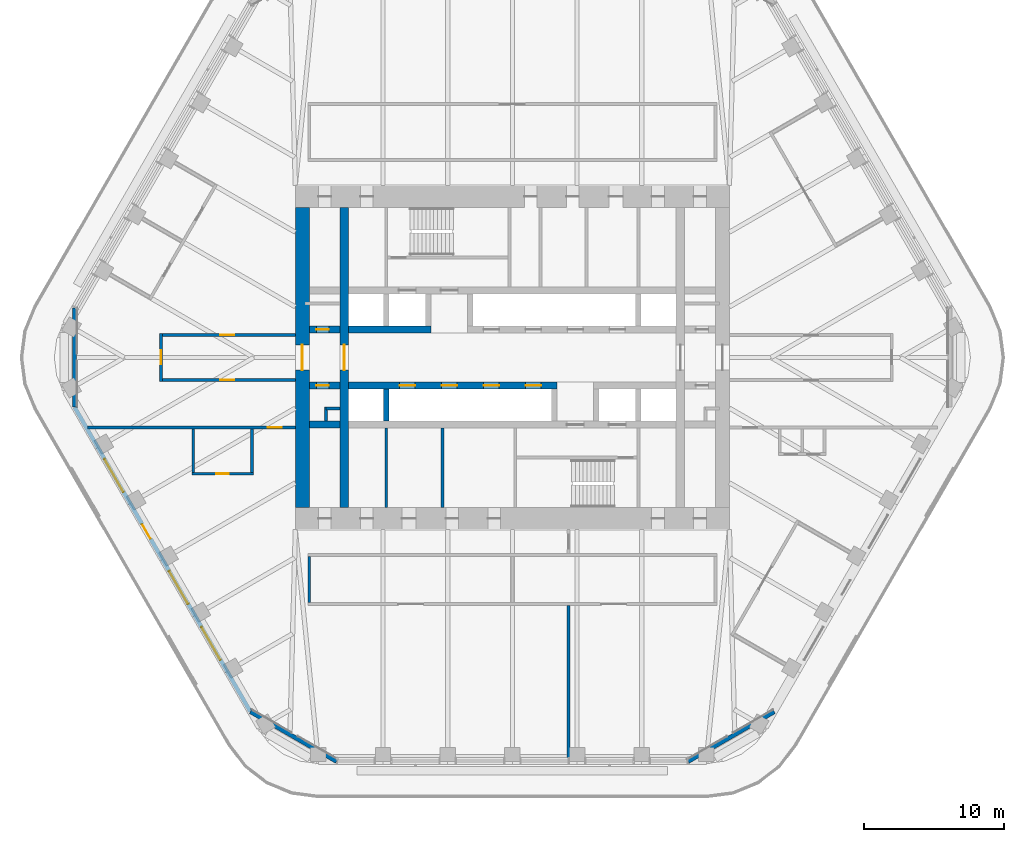
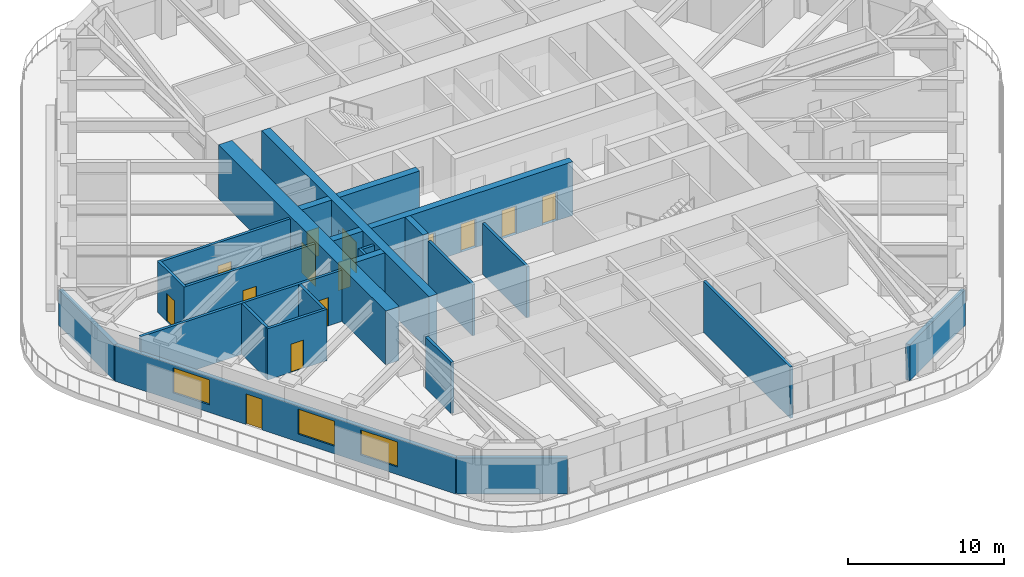
# One storey, part 14 of 20: 25 walls, 14 doors, 3 windows, 17 openings.
"""IFC4 building model written with IfcOpenShell, lengths in metres."""

from ifc_helpers import new_model, si_unit, direction, frame, frame_2d, origin, place, context, subcontext, project, spatial, rectangle, extrude, material, layer, layer_set, type_object, element, fill, save


model = new_model("IFC4")

# Units and contexts
model_context = context("Model", 3, precision=1e-05, world=origin(), true_north=direction((0.0, 1.0)))
body_context = subcontext(model_context, "Body", "Model", "MODEL_VIEW")
ifc_project = project(units=[si_unit("LENGTHUNIT", "METRE"), si_unit("AREAUNIT", "SQUARE_METRE"), si_unit("VOLUMEUNIT", "CUBIC_METRE"), si_unit("PLANEANGLEUNIT", "RADIAN"), si_unit("MASSUNIT", "GRAM", prefix="KILO")], contexts=[model_context])

# Site, building, storey
site_placement = place(None, origin())
site = spatial("IfcSite", under=ifc_project, at=site_placement, CompositionType="ELEMENT")
building_placement = place(site_placement, origin())
building = spatial("IfcBuilding", under=site, at=building_placement, Name="Tarfa Lantern Tower", CompositionType="ELEMENT")
storey_placement = place(building_placement, frame((0.0, 0.0, 282.699951171875)))
storey = spatial("IfcBuildingStorey", under=building, at=storey_placement, Name="L64", CompositionType="ELEMENT", Elevation=282.699951171875)

# Walls
ifc_material_1 = material(Name="Limestone cladding on blockwork", Category="masonry")
ifc_layer_1 = layer(ifc_material_1, 0.300048828125)
ifc_layer_set_1 = layer_set([ifc_layer_1], Name="EW1 STONE-CLAD WALL 300")
wall_type_1 = type_object("IfcWallType", Name="EW1 STONE-CLAD WALL 300", PredefinedType="SOLIDWALL", material=ifc_layer_set_1)
wall_1_placement = place(storey_placement, frame((-31.262939453125, 3.55078125, 0.0), z_axis=(0.0, 0.0, 1.0), x_axis=(0.0, -1.0, 0.0)))
element("IfcWall", 1, at=wall_1_placement, inside=storey, type_object=wall_type_1, Name="Garden wall NW-SW", PredefinedType="SOLIDWALL", context=body_context, shape_type="SweptSolid", body=[
    extrude(rectangle(XDim=7.1015625, YDim=0.300048828125, at=frame_2d((3.55078125, 0.0))), origin(), (0.0, 0.0, 1.0), 2.800048828125),
])
for number, where, z_axis, x_axis, name in (
    (2, (-18.70654296875, -25.299072265625, 0.0), (0.0, 0.0, 1.0), (0.866010973379, -0.500024993363, 0.0), "Garden wall SW-S"),
    (3, (12.556396484375, -28.85009765625, 0.0), (0.0, 0.0, 1.0), (0.866010973379, 0.500024993363, 0.0), "Garden wall S-SE"),
):
    element("IfcWall", number, at=place(storey_placement, frame(where, z_axis=z_axis, x_axis=x_axis)), inside=storey, type_object=wall_type_1, Name=name, PredefinedType="SOLIDWALL", context=body_context, shape_type="SweptSolid", body=[
        extrude(rectangle(XDim=7.101806640625, YDim=0.300048828125, at=frame_2d((3.55078125, 0.0))), origin(), (0.0, 0.0, 1.0), 2.800048828125),
    ])

# Wall, openings, door, windows
wall_2_placement = place(storey_placement, frame((-31.262939453125, -3.55078125, 0.0), z_axis=(0.0, 0.0, 1.0), x_axis=(0.500000442367, -0.866025148383, 0.0)))
wall_2 = element("IfcWall", 4, at=wall_2_placement, inside=storey, type_object=wall_type_1, Name="Stone wall SW", PredefinedType="SOLIDWALL", context=body_context, shape_type="SweptSolid", body=[
    extrude(rectangle(XDim=25.11279296875, YDim=0.300048828125, at=frame_2d((12.556396484375, 0.0))), origin(), (0.0, 0.0, 1.0), 2.800048828125),
])
opening_1_placement = place(wall_2_placement, frame((4.2783203125, 0.0, 0.60009765625)))
opening_1 = element("IfcOpeningElement", 5, at=opening_1_placement, cuts=wall_2, Name="Opening W14", PredefinedType="OPENING", context=body_context, shape_type="SweptSolid", body=[
    extrude(rectangle(XDim=2.699951171875, YDim=1.949951171875, at=frame_2d((1.35009765625, 0.97509765625))), frame((0.0, 0.159912109375, 0.0), z_axis=(0.0, -1.0, 0.0), x_axis=(1.0, 0.0, 0.0)), (0.0, 0.0, 1.0), 0.320068359375),
])
opening_2_placement = place(wall_2_placement, frame((9.64697265625, 0.0, 0.0)))
opening_2 = element("IfcOpeningElement", 6, at=opening_2_placement, cuts=wall_2, Name="Opening D48", PredefinedType="OPENING", context=body_context, shape_type="SweptSolid", body=[
    extrude(rectangle(XDim=1.199951171875, YDim=2.39990234375, at=frame_2d((0.60009765625, 1.199951171875))), frame((0.0, 0.159912109375, 0.0), z_axis=(0.0, -1.0, 0.0), x_axis=(1.0, 0.0, 0.0)), (0.0, 0.0, 1.0), 0.320068359375),
])
opening_3_placement = place(wall_2_placement, frame((13.515869140625, 0.0, 0.60009765625)))
opening_3 = element("IfcOpeningElement", 7, at=opening_3_placement, cuts=wall_2, Name="Opening W14", PredefinedType="OPENING", context=body_context, shape_type="SweptSolid", body=[
    extrude(rectangle(XDim=2.699951171875, YDim=1.949951171875, at=frame_2d((1.35009765625, 0.97509765625))), frame((0.0, 0.159912109375, 0.0), z_axis=(0.0, -1.0, 0.0), x_axis=(1.0, 0.0, 0.0)), (0.0, 0.0, 1.0), 0.320068359375),
])
opening_4_placement = place(wall_2_placement, frame((18.134521484375, 0.0, 0.60009765625)))
opening_4 = element("IfcOpeningElement", 8, at=opening_4_placement, cuts=wall_2, Name="Opening W14", PredefinedType="OPENING", context=body_context, shape_type="SweptSolid", body=[
    extrude(rectangle(XDim=2.699951171875, YDim=1.949951171875, at=frame_2d((1.35009765625, 0.97509765625))), frame((0.0, 0.159912109375, 0.0), z_axis=(0.0, -1.0, 0.0), x_axis=(1.0, 0.0, 0.0)), (0.0, 0.0, 1.0), 0.320068359375),
])
ifc_material_2 = material(Name="Aluminium framed glazed door", Category="aluminium")
door_type_1 = type_object("IfcDoorType", Name="BE3 BALCONY DOOR 1200x2400", OperationType="SINGLE_SWING_RIGHT", PredefinedType="DOOR", material=ifc_material_2)
door_1_placement = place(opening_2_placement, origin())
door_1 = element("IfcDoor", 9, at=door_1_placement, inside=storey, type_object=door_type_1, Name="Balcony door SW", OperationType="SINGLE_SWING_RIGHT", OverallHeight=2.39990234375, OverallWidth=1.199951171875, PredefinedType="DOOR", context=body_context, shape_type="SweptSolid", body=[
    extrude(rectangle(XDim=1.199951171875, YDim=2.39990234375, at=frame_2d((0.60009765625, 1.199951171875))), frame((0.0, 0.02490234375, 0.0), z_axis=(0.0, -1.0, 0.0), x_axis=(1.0, 0.0, 0.0)), (0.0, 0.0, 1.0), 0.050048828125),
])
fill(opening_2, door_1)
ifc_material_3 = material(Name="Aluminium frame, double glazed", Category="aluminium")
window_type = type_object("IfcWindowType", Name="W14 FULL-HEIGHT GLAZING 2700x1950", PartitioningType="SINGLE_PANEL", PredefinedType="WINDOW", material=ifc_material_3)
window_1_placement = place(opening_1_placement, origin())
window_1 = element("IfcWindow", 10, at=window_1_placement, inside=storey, type_object=window_type, Name="Window SW 2", OverallHeight=1.949951171875, OverallWidth=2.699951171875, PartitioningType="SINGLE_PANEL", PredefinedType="WINDOW", context=body_context, shape_type="SweptSolid", body=[
    extrude(rectangle(XDim=2.699951171875, YDim=1.949951171875, at=frame_2d((1.35009765625, 0.97509765625))), frame((0.0, 0.030029296875, 0.0), z_axis=(0.0, -1.0, 0.0), x_axis=(1.0, 0.0, 0.0)), (0.0, 0.0, 1.0), 0.06005859375),
])
fill(opening_1, window_1)
window_2_placement = place(opening_3_placement, origin())
window_2 = element("IfcWindow", 11, at=window_2_placement, inside=storey, type_object=window_type, Name="Window SW 4", OverallHeight=1.949951171875, OverallWidth=2.699951171875, PartitioningType="SINGLE_PANEL", PredefinedType="WINDOW", context=body_context, shape_type="SweptSolid", body=[
    extrude(rectangle(XDim=2.699951171875, YDim=1.949951171875, at=frame_2d((1.35009765625, 0.97509765625))), frame((0.0, 0.030029296875, 0.0), z_axis=(0.0, -1.0, 0.0), x_axis=(1.0, 0.0, 0.0)), (0.0, 0.0, 1.0), 0.06005859375),
])
fill(opening_3, window_2)
window_3_placement = place(opening_4_placement, origin())
window_3 = element("IfcWindow", 12, at=window_3_placement, inside=storey, type_object=window_type, Name="Window SW 5", OverallHeight=1.949951171875, OverallWidth=2.699951171875, PartitioningType="SINGLE_PANEL", PredefinedType="WINDOW", context=body_context, shape_type="SweptSolid", body=[
    extrude(rectangle(XDim=2.699951171875, YDim=1.949951171875, at=frame_2d((1.35009765625, 0.97509765625))), frame((0.0, 0.030029296875, 0.0), z_axis=(0.0, -1.0, 0.0), x_axis=(1.0, 0.0, 0.0)), (0.0, 0.0, 1.0), 0.06005859375),
])
fill(opening_4, window_3)

# Walls
ifc_material_4 = material(Name="Concrete blockwork", Category="masonry")
ifc_layer_2 = layer(ifc_material_4, 0.199951171875)
ifc_layer_set_2 = layer_set([ifc_layer_2], Name="IW1 BLOCKWORK PARTITION 200 EI 120")
wall_type_2 = type_object("IfcWallType", Name="IW1 BLOCKWORK PARTITION 200 EI 120", PredefinedType="PARTITIONING", material=ifc_layer_set_2)
for number, where, z_axis, x_axis, name in (
    (13, (-9.0, -5.050048828125, 0.0), (0.0, 0.0, 1.0), (0.0, -1.0, 0.0), "Core partition"),
    (14, (-5.0, -5.050048828125, 0.0), (0.0, 0.0, 1.0), (0.0, -1.0, 0.0), "Core partition"),
):
    element("IfcWall", number, at=place(storey_placement, frame(where, z_axis=z_axis, x_axis=x_axis)), inside=storey, type_object=wall_type_2, Name=name, PredefinedType="PARTITIONING", context=body_context, shape_type="SweptSolid", body=[
        extrude(rectangle(XDim=5.64990234375, YDim=0.199951171875, at=frame_2d((2.824951171875, 0.0))), origin(), (0.0, 0.0, 1.0), 4.0),
    ])
for number, where, z_axis, x_axis, name in (
    (15, (-12.300048828125, -3.64990234375, 0.0), (0.0, 0.0, 1.0), (-1.0, 0.0, 0.0), "Core partition"),
    (16, (-13.300048828125, -3.550048828125, 0.0), (0.0, 0.0, 1.0), (0.0, -1.0, 0.0), "Core partition"),
):
    element("IfcWall", number, at=place(storey_placement, frame(where, z_axis=z_axis, x_axis=x_axis)), inside=storey, type_object=wall_type_2, Name=name, PredefinedType="PARTITIONING", context=body_context, shape_type="SweptSolid", body=[
        extrude(rectangle(XDim=1.0, YDim=0.199951171875, at=frame_2d((0.5, 0.0))), origin(), (0.0, 0.0, 1.0), 4.0),
    ])
ifc_material_5 = material(Name="Gypsum board on steel studs", Category="steel")
ifc_layer_3 = layer(ifc_material_5, 0.2099609375)
ifc_layer_set_3 = layer_set([ifc_layer_3], Name="IW2 ACOUSTIC PARTITION 200")
wall_type_3 = type_object("IfcWallType", Name="IW2 ACOUSTIC PARTITION 200", PredefinedType="PARTITIONING", material=ifc_layer_set_3)
wall_3_placement = place(storey_placement, frame((-14.5, -14.199951171875, 0.0), z_axis=(0.0, 0.0, 1.0), x_axis=(0.0, -1.0, 0.0)))
element("IfcWall", 17, at=wall_3_placement, inside=storey, type_object=wall_type_3, Name="Partition", PredefinedType="PARTITIONING", context=body_context, shape_type="SweptSolid", body=[
    extrude(rectangle(XDim=3.300048828125, YDim=0.199951171875, at=frame_2d((1.64990234375, 0.0))), origin(), (0.0, 0.0, 1.0), 4.0),
])

# Wall, opening, door
wall_4_placement = place(storey_placement, frame((-15.5, 1.60009765625, 0.0), z_axis=(0.0, 0.0, 1.0), x_axis=(-1.0, 0.0, 0.0)))
wall_4 = element("IfcWall", 18, at=wall_4_placement, inside=storey, type_object=wall_type_3, Name="Partition", PredefinedType="PARTITIONING", context=body_context, shape_type="SweptSolid", body=[
    extrude(rectangle(XDim=9.699951171875, YDim=0.199951171875, at=frame_2d((4.85009765625, 0.0))), origin(), (0.0, 0.0, 1.0), 4.0),
])
opening_5_placement = place(wall_4_placement, frame((4.35009765625, 0.0, 0.0)))
opening_5 = element("IfcOpeningElement", 19, at=opening_5_placement, cuts=wall_4, Name="Opening D41", PredefinedType="OPENING", context=body_context, shape_type="SweptSolid", body=[
    extrude(rectangle(XDim=1.0, YDim=2.199951171875, at=frame_2d((0.5, 1.10009765625))), frame((0.0, 0.10986328125, 0.0), z_axis=(0.0, -1.0, 0.0), x_axis=(1.0, 0.0, 0.0)), (0.0, 0.0, 1.0), 0.219970703125),
])
ifc_material_6 = material(Name="Timber door", Category="wood")
door_type_2 = type_object("IfcDoorType", Name="DR1 ROOM DOOR 1000x2200", OperationType="SINGLE_SWING_LEFT", PredefinedType="DOOR", material=ifc_material_6)
door_2_placement = place(opening_5_placement, frame((1.0, 0.0, 0.0), z_axis=(0.0, 0.0, 1.0), x_axis=(-1.0, 0.0, 0.0)))
door_2 = element("IfcDoor", 20, at=door_2_placement, inside=storey, type_object=door_type_2, Name="Corridor door", OperationType="SINGLE_SWING_LEFT", OverallHeight=2.199951171875, OverallWidth=1.0, PredefinedType="DOOR", context=body_context, shape_type="SweptSolid", body=[
    extrude(rectangle(XDim=1.0, YDim=2.199951171875, at=frame_2d((0.5, 1.10009765625))), frame((0.0, 0.02490234375, 0.0), z_axis=(0.0, -1.0, 0.0), x_axis=(1.0, 0.0, 0.0)), (0.0, 0.0, 1.0), 0.050048828125),
])
fill(opening_5, door_2)

wall_5_placement = place(storey_placement, frame((-15.5, -1.60009765625, 0.0), z_axis=(0.0, 0.0, 1.0), x_axis=(-1.0, 0.0, 0.0)))
wall_5 = element("IfcWall", 21, at=wall_5_placement, inside=storey, type_object=wall_type_3, Name="Partition", PredefinedType="PARTITIONING", context=body_context, shape_type="SweptSolid", body=[
    extrude(rectangle(XDim=9.699951171875, YDim=0.199951171875, at=frame_2d((4.85009765625, 0.0))), origin(), (0.0, 0.0, 1.0), 4.0),
])
opening_6_placement = place(wall_5_placement, frame((4.35009765625, 0.0, 0.0)))
opening_6 = element("IfcOpeningElement", 22, at=opening_6_placement, cuts=wall_5, Name="Opening D42", PredefinedType="OPENING", context=body_context, shape_type="SweptSolid", body=[
    extrude(rectangle(XDim=1.0, YDim=2.199951171875, at=frame_2d((0.5, 1.10009765625))), frame((0.0, 0.10986328125, 0.0), z_axis=(0.0, -1.0, 0.0), x_axis=(1.0, 0.0, 0.0)), (0.0, 0.0, 1.0), 0.219970703125),
])
door_3_placement = place(opening_6_placement, origin())
door_3 = element("IfcDoor", 23, at=door_3_placement, inside=storey, type_object=door_type_2, Name="Corridor door", OperationType="SINGLE_SWING_RIGHT", OverallHeight=2.199951171875, OverallWidth=1.0, PredefinedType="DOOR", context=body_context, shape_type="SweptSolid", body=[
    extrude(rectangle(XDim=1.0, YDim=2.199951171875, at=frame_2d((0.5, 1.10009765625))), frame((0.0, 0.02490234375, 0.0), z_axis=(0.0, -1.0, 0.0), x_axis=(1.0, 0.0, 0.0)), (0.0, 0.0, 1.0), 0.050048828125),
])
fill(opening_6, door_3)

wall_6_placement = place(storey_placement, frame((-25.10009765625, -1.699951171875, 0.0), z_axis=(0.0, 0.0, 1.0), x_axis=(0.0, 1.0, 0.0)))
wall_6 = element("IfcWall", 24, at=wall_6_placement, inside=storey, type_object=wall_type_3, Name="Partition", PredefinedType="PARTITIONING", context=body_context, shape_type="SweptSolid", body=[
    extrude(rectangle(XDim=3.39990234375, YDim=0.199951171875, at=frame_2d((1.699951171875, 0.0))), origin(), (0.0, 0.0, 1.0), 4.0),
])
opening_7_placement = place(wall_6_placement, frame((1.199951171875, 0.0, 0.0)))
opening_7 = element("IfcOpeningElement", 25, at=opening_7_placement, cuts=wall_6, Name="Opening D40", PredefinedType="OPENING", context=body_context, shape_type="SweptSolid", body=[
    extrude(rectangle(XDim=1.0, YDim=2.199951171875, at=frame_2d((0.5, 1.10009765625))), frame((0.0, 0.10986328125, 0.0), z_axis=(0.0, -1.0, 0.0), x_axis=(1.0, 0.0, 0.0)), (0.0, 0.0, 1.0), 0.219970703125),
])
door_4_placement = place(opening_7_placement, origin())
door_4 = element("IfcDoor", 26, at=door_4_placement, inside=storey, type_object=door_type_2, Name="Corridor door", OperationType="SINGLE_SWING_RIGHT", OverallHeight=2.199951171875, OverallWidth=1.0, PredefinedType="DOOR", context=body_context, shape_type="SweptSolid", body=[
    extrude(rectangle(XDim=1.0, YDim=2.199951171875, at=frame_2d((0.5, 1.10009765625))), frame((0.0, 0.02490234375, 0.0), z_axis=(0.0, -1.0, 0.0), x_axis=(1.0, 0.0, 0.0)), (0.0, 0.0, 1.0), 0.050048828125),
])
fill(opening_7, door_4)

# Wall
wall_7_placement = place(storey_placement, frame((4.0, -17.699951171875, 0.0), z_axis=(0.0, 0.0, 1.0), x_axis=(0.0, -1.0, 0.0)))
element("IfcWall", 27, at=wall_7_placement, inside=storey, type_object=wall_type_3, Name="Partition", PredefinedType="PARTITIONING", context=body_context, shape_type="SweptSolid", body=[
    extrude(rectangle(XDim=11.10009765625, YDim=0.199951171875, at=frame_2d((5.550048828125, 0.0))), origin(), (0.0, 0.0, 1.0), 4.0),
])

# Wall, opening, door
wall_8_placement = place(storey_placement, frame((-15.5, -5.0, 0.0), z_axis=(0.0, 0.0, 1.0), x_axis=(-1.0, 0.0, 0.0)))
wall_8 = element("IfcWall", 28, at=wall_8_placement, inside=storey, type_object=wall_type_3, Name="Partition", PredefinedType="PARTITIONING", context=body_context, shape_type="SweptSolid", body=[
    extrude(rectangle(XDim=14.845458984375, YDim=0.199951171875, at=frame_2d((7.4228515625, 0.0))), origin(), (0.0, 0.0, 1.0), 4.0),
])
opening_8_placement = place(wall_8_placement, frame((0.984619140625, 0.0, 0.0)))
opening_8 = element("IfcOpeningElement", 29, at=opening_8_placement, cuts=wall_8, Name="Opening D45", PredefinedType="OPENING", context=body_context, shape_type="SweptSolid", body=[
    extrude(rectangle(XDim=1.0, YDim=2.199951171875, at=frame_2d((0.5, 1.10009765625))), frame((0.0, 0.10986328125, 0.0), z_axis=(0.0, -1.0, 0.0), x_axis=(1.0, 0.0, 0.0)), (0.0, 0.0, 1.0), 0.219970703125),
])
door_5_placement = place(opening_8_placement, origin())
door_5 = element("IfcDoor", 30, at=door_5_placement, inside=storey, type_object=door_type_2, Name="Zone door", OperationType="SINGLE_SWING_RIGHT", OverallHeight=2.199951171875, OverallWidth=1.0, PredefinedType="DOOR", context=body_context, shape_type="SweptSolid", body=[
    extrude(rectangle(XDim=1.0, YDim=2.199951171875, at=frame_2d((0.5, 1.10009765625))), frame((0.0, 0.02490234375, 0.0), z_axis=(0.0, -1.0, 0.0), x_axis=(1.0, 0.0, 0.0)), (0.0, 0.0, 1.0), 0.050048828125),
])
fill(opening_8, door_5)

wall_9_placement = place(storey_placement, frame((-18.495849609375, -8.300048828125, 0.0), z_axis=(0.0, 0.0, 1.0), x_axis=(-1.0, 0.0, 0.0)))
wall_9 = element("IfcWall", 31, at=wall_9_placement, inside=storey, type_object=wall_type_3, Name="Partition", PredefinedType="PARTITIONING", context=body_context, shape_type="SweptSolid", body=[
    extrude(rectangle(XDim=4.400146484375, YDim=0.199951171875, at=frame_2d((2.2001953125, 0.0))), origin(), (0.0, 0.0, 1.0), 4.0),
])
opening_9_placement = place(wall_9_placement, frame((1.75, 0.0, 0.0)))
opening_9 = element("IfcOpeningElement", 32, at=opening_9_placement, cuts=wall_9, Name="Opening D36", PredefinedType="OPENING", context=body_context, shape_type="SweptSolid", body=[
    extrude(rectangle(XDim=0.89990234375, YDim=2.199951171875, at=frame_2d((0.449951171875, 1.10009765625))), frame((0.0, 0.10986328125, 0.0), z_axis=(0.0, -1.0, 0.0), x_axis=(1.0, 0.0, 0.0)), (0.0, 0.0, 1.0), 0.219970703125),
])
door_type_3 = type_object("IfcDoorType", Name="DR3 ROOM DOOR 900x2200", OperationType="SINGLE_SWING_LEFT", PredefinedType="DOOR", material=ifc_material_6)
door_6_placement = place(opening_9_placement, frame((0.89990234375, 0.0, 0.0), z_axis=(0.0, 0.0, 1.0), x_axis=(-1.0, 0.0, 0.0)))
door_6 = element("IfcDoor", 33, at=door_6_placement, inside=storey, type_object=door_type_3, Name="Breakout pantry door", OperationType="SINGLE_SWING_LEFT", OverallHeight=2.199951171875, OverallWidth=0.89990234375, PredefinedType="DOOR", context=body_context, shape_type="SweptSolid", body=[
    extrude(rectangle(XDim=0.89990234375, YDim=2.199951171875, at=frame_2d((0.449951171875, 1.10009765625))), frame((0.0, 0.02490234375, 0.0), z_axis=(0.0, -1.0, 0.0), x_axis=(1.0, 0.0, 0.0)), (0.0, 0.0, 1.0), 0.050048828125),
])
fill(opening_9, door_6)

# Walls
for number, where, z_axis, x_axis, name in (
    (34, (-18.595947265625, -5.10009765625, 0.0), (0.0, 0.0, 1.0), (0.0, -1.0, 0.0), "Partition"),
    (35, (-22.7958984375, -5.10009765625, 0.0), (0.0, 0.0, 1.0), (0.0, -1.0, 0.0), "Partition"),
):
    element("IfcWall", number, at=place(storey_placement, frame(where, z_axis=z_axis, x_axis=x_axis)), inside=storey, type_object=wall_type_3, Name=name, PredefinedType="PARTITIONING", context=body_context, shape_type="SweptSolid", body=[
        extrude(rectangle(XDim=3.099853515625, YDim=0.199951171875, at=frame_2d((1.5498046875, 0.0))), origin(), (0.0, 0.0, 1.0), 4.0),
    ])

# Wall, opening, door
ifc_material_7 = material(Name="Concrete C80/95", Category="concrete")
ifc_layer_4 = layer(ifc_material_7, 1.0)
ifc_layer_set_4 = layer_set([ifc_layer_4], Name="SW2 CORE WALL 1000")
wall_type_4 = type_object("IfcWallType", Name="SW2 CORE WALL 1000", PredefinedType="SHEAR", material=ifc_layer_set_4)
wall_10_placement = place(storey_placement, frame((-15.0, 10.699951171875, 0.0), z_axis=(0.0, 0.0, 1.0), x_axis=(0.0, -1.0, 0.0)))
wall_10 = element("IfcWall", 36, at=wall_10_placement, inside=storey, type_object=wall_type_4, Name="Core wall W", PredefinedType="SHEAR", context=body_context, shape_type="SweptSolid", body=[
    extrude(rectangle(XDim=21.39990234375, YDim=1.0, at=frame_2d((10.699951171875, 0.0))), origin(), (0.0, 0.0, 1.0), 4.199951171875),
])
opening_10_placement = place(wall_10_placement, frame((9.800048828125, 0.0, 0.0)))
opening_10 = element("IfcOpeningElement", 37, at=opening_10_placement, cuts=wall_10, Name="Opening D12", PredefinedType="OPENING", context=body_context, shape_type="SweptSolid", body=[
    extrude(rectangle(XDim=1.800048828125, YDim=2.39990234375, at=frame_2d((0.89990234375, 1.199951171875))), frame((0.0, 0.510009765625, 0.0), z_axis=(0.0, -1.0, 0.0), x_axis=(1.0, 0.0, 0.0)), (0.0, 0.0, 1.0), 1.02001953125),
])
ifc_material_8 = material(Name="Steel fire door", Category="steel")
door_type_4 = type_object("IfcDoorType", Name="DL1 LOBBY DOOR 1800x2400", OperationType="DOUBLE_DOOR_SINGLE_SWING", PredefinedType="DOOR", material=ifc_material_8)
door_7_placement = place(opening_10_placement, frame((1.800048828125, 0.0, 0.0), z_axis=(0.0, 0.0, 1.0), x_axis=(-1.0, 0.0, 0.0)))
door_7 = element("IfcDoor", 38, at=door_7_placement, inside=storey, type_object=door_type_4, Name="Lift lobby door", OperationType="DOUBLE_DOOR_SINGLE_SWING", OverallHeight=2.39990234375, OverallWidth=1.800048828125, PredefinedType="DOOR", context=body_context, shape_type="SweptSolid", body=[
    extrude(rectangle(XDim=1.800048828125, YDim=2.39990234375, at=frame_2d((0.89990234375, 1.199951171875))), frame((0.0, 0.02490234375, 0.0), z_axis=(0.0, -1.0, 0.0), x_axis=(1.0, 0.0, 0.0)), (0.0, 0.0, 1.0), 0.050048828125),
])
fill(opening_10, door_7)

ifc_layer_5 = layer(ifc_material_7, 0.5)
ifc_layer_set_5 = layer_set([ifc_layer_5], Name="SW5 CORE WALL 500")
wall_type_5 = type_object("IfcWallType", Name="SW5 CORE WALL 500", PredefinedType="SHEAR", material=ifc_layer_set_5)
wall_11_placement = place(storey_placement, frame((-14.5, 2.0, 0.0), z_axis=(0.0, 0.0, 1.0), x_axis=(1.0, 0.0, 0.0)))
wall_11 = element("IfcWall", 39, at=wall_11_placement, inside=storey, type_object=wall_type_5, Name="Core wall lobby west N", PredefinedType="SHEAR", context=body_context, shape_type="SweptSolid", body=[
    extrude(rectangle(XDim=2.199951171875, YDim=0.5, at=frame_2d((1.10009765625, 0.0))), origin(), (0.0, 0.0, 1.0), 4.199951171875),
])
opening_11_placement = place(wall_11_placement, frame((0.5, 0.0, 0.0)))
opening_11 = element("IfcOpeningElement", 40, at=opening_11_placement, cuts=wall_11, Name="Opening D15", PredefinedType="OPENING", context=body_context, shape_type="SweptSolid", body=[
    extrude(rectangle(XDim=0.89990234375, YDim=2.199951171875, at=frame_2d((0.449951171875, 1.10009765625))), frame((0.0, 0.260009765625, 0.0), z_axis=(0.0, -1.0, 0.0), x_axis=(1.0, 0.0, 0.0)), (0.0, 0.0, 1.0), 0.52001953125),
])
door_type_5 = type_object("IfcDoorType", Name="DF6 SERVICE ROOM DOOR 900x2200", OperationType="SINGLE_SWING_LEFT", PredefinedType="DOOR", material=ifc_material_8)
door_8_placement = place(opening_11_placement, origin())
door_8 = element("IfcDoor", 41, at=door_8_placement, inside=storey, type_object=door_type_5, Name="Service room door", OperationType="SINGLE_SWING_RIGHT", OverallHeight=2.199951171875, OverallWidth=0.89990234375, PredefinedType="DOOR", context=body_context, shape_type="SweptSolid", body=[
    extrude(rectangle(XDim=0.89990234375, YDim=2.199951171875, at=frame_2d((0.449951171875, 1.10009765625))), frame((0.0, 0.02490234375, 0.0), z_axis=(0.0, -1.0, 0.0), x_axis=(1.0, 0.0, 0.0)), (0.0, 0.0, 1.0), 0.050048828125),
])
fill(opening_11, door_8)

# Wall
wall_12_placement = place(storey_placement, frame((-11.699951171875, 2.0, 0.0), z_axis=(0.0, 0.0, 1.0), x_axis=(1.0, 0.0, 0.0)))
element("IfcWall", 42, at=wall_12_placement, inside=storey, type_object=wall_type_5, Name="Core wall lobby west N", PredefinedType="SHEAR", context=body_context, shape_type="SweptSolid", body=[
    extrude(rectangle(XDim=5.89990234375, YDim=0.5, at=frame_2d((2.949951171875, 0.0))), origin(), (0.0, 0.0, 1.0), 4.199951171875),
])

# Wall, openings, doors
wall_13_placement = place(storey_placement, frame((3.199951171875, -2.0, 0.0), z_axis=(0.0, 0.0, 1.0), x_axis=(-1.0, 0.0, 0.0)))
wall_13 = element("IfcWall", 43, at=wall_13_placement, inside=storey, type_object=wall_type_5, Name="Core wall lobby east S", PredefinedType="SHEAR", context=body_context, shape_type="SweptSolid", body=[
    extrude(rectangle(XDim=14.89990234375, YDim=0.5, at=frame_2d((7.449951171875, 0.0))), origin(), (0.0, 0.0, 1.0), 4.199951171875),
])
opening_12_placement = place(wall_13_placement, frame((1.14990234375, 0.0, 0.0)))
opening_12 = element("IfcOpeningElement", 44, at=opening_12_placement, cuts=wall_13, Name="Opening LD07", PredefinedType="OPENING", context=body_context, shape_type="SweptSolid", body=[
    extrude(rectangle(XDim=1.10009765625, YDim=2.199951171875, at=frame_2d((0.550048828125, 1.10009765625))), frame((0.0, 0.260009765625, 0.0), z_axis=(0.0, -1.0, 0.0), x_axis=(1.0, 0.0, 0.0)), (0.0, 0.0, 1.0), 0.52001953125),
])
opening_13_placement = place(wall_13_placement, frame((4.14990234375, 0.0, 0.0)))
opening_13 = element("IfcOpeningElement", 45, at=opening_13_placement, cuts=wall_13, Name="Opening LD08", PredefinedType="OPENING", context=body_context, shape_type="SweptSolid", body=[
    extrude(rectangle(XDim=1.10009765625, YDim=2.199951171875, at=frame_2d((0.550048828125, 1.10009765625))), frame((0.0, 0.260009765625, 0.0), z_axis=(0.0, -1.0, 0.0), x_axis=(1.0, 0.0, 0.0)), (0.0, 0.0, 1.0), 0.52001953125),
])
opening_14_placement = place(wall_13_placement, frame((7.14990234375, 0.0, 0.0)))
opening_14 = element("IfcOpeningElement", 46, at=opening_14_placement, cuts=wall_13, Name="Opening LD09", PredefinedType="OPENING", context=body_context, shape_type="SweptSolid", body=[
    extrude(rectangle(XDim=1.10009765625, YDim=2.199951171875, at=frame_2d((0.550048828125, 1.10009765625))), frame((0.0, 0.260009765625, 0.0), z_axis=(0.0, -1.0, 0.0), x_axis=(1.0, 0.0, 0.0)), (0.0, 0.0, 1.0), 0.52001953125),
])
opening_15_placement = place(wall_13_placement, frame((10.14990234375, 0.0, 0.0)))
opening_15 = element("IfcOpeningElement", 47, at=opening_15_placement, cuts=wall_13, Name="Opening LD10", PredefinedType="OPENING", context=body_context, shape_type="SweptSolid", body=[
    extrude(rectangle(XDim=1.10009765625, YDim=2.199951171875, at=frame_2d((0.550048828125, 1.10009765625))), frame((0.0, 0.260009765625, 0.0), z_axis=(0.0, -1.0, 0.0), x_axis=(1.0, 0.0, 0.0)), (0.0, 0.0, 1.0), 0.52001953125),
])
ifc_material_9 = material(Name="Stainless steel lift door", Category="steel")
door_type_6 = type_object("IfcDoorType", Name="LD2 LIFT LANDING DOOR 1100x2200", OperationType="SLIDING_TO_LEFT", PredefinedType="DOOR", material=ifc_material_9)
door_9_placement = place(opening_12_placement, frame((1.10009765625, 0.0, 0.0), z_axis=(0.0, 0.0, 1.0), x_axis=(-1.0, 0.0, 0.0)))
door_9 = element("IfcDoor", 48, at=door_9_placement, inside=storey, type_object=door_type_6, Name="Landing door PC5", OperationType="SLIDING_TO_LEFT", OverallHeight=2.199951171875, OverallWidth=1.10009765625, PredefinedType="DOOR", context=body_context, shape_type="SweptSolid", body=[
    extrude(rectangle(XDim=1.10009765625, YDim=2.199951171875, at=frame_2d((0.550048828125, 1.10009765625))), frame((0.0, 0.02490234375, 0.0), z_axis=(0.0, -1.0, 0.0), x_axis=(1.0, 0.0, 0.0)), (0.0, 0.0, 1.0), 0.050048828125),
])
fill(opening_12, door_9)
door_10_placement = place(opening_13_placement, frame((1.10009765625, 0.0, 0.0), z_axis=(0.0, 0.0, 1.0), x_axis=(-1.0, 0.0, 0.0)))
door_10 = element("IfcDoor", 49, at=door_10_placement, inside=storey, type_object=door_type_6, Name="Landing door PC6", OperationType="SLIDING_TO_LEFT", OverallHeight=2.199951171875, OverallWidth=1.10009765625, PredefinedType="DOOR", context=body_context, shape_type="SweptSolid", body=[
    extrude(rectangle(XDim=1.10009765625, YDim=2.199951171875, at=frame_2d((0.550048828125, 1.10009765625))), frame((0.0, 0.02490234375, 0.0), z_axis=(0.0, -1.0, 0.0), x_axis=(1.0, 0.0, 0.0)), (0.0, 0.0, 1.0), 0.050048828125),
])
fill(opening_13, door_10)
door_11_placement = place(opening_14_placement, frame((1.10009765625, 0.0, 0.0), z_axis=(0.0, 0.0, 1.0), x_axis=(-1.0, 0.0, 0.0)))
door_11 = element("IfcDoor", 50, at=door_11_placement, inside=storey, type_object=door_type_6, Name="Landing door PC7", OperationType="SLIDING_TO_LEFT", OverallHeight=2.199951171875, OverallWidth=1.10009765625, PredefinedType="DOOR", context=body_context, shape_type="SweptSolid", body=[
    extrude(rectangle(XDim=1.10009765625, YDim=2.199951171875, at=frame_2d((0.550048828125, 1.10009765625))), frame((0.0, 0.02490234375, 0.0), z_axis=(0.0, -1.0, 0.0), x_axis=(1.0, 0.0, 0.0)), (0.0, 0.0, 1.0), 0.050048828125),
])
fill(opening_14, door_11)
door_12_placement = place(opening_15_placement, frame((1.10009765625, 0.0, 0.0), z_axis=(0.0, 0.0, 1.0), x_axis=(-1.0, 0.0, 0.0)))
door_12 = element("IfcDoor", 51, at=door_12_placement, inside=storey, type_object=door_type_6, Name="Landing door PC8", OperationType="SLIDING_TO_LEFT", OverallHeight=2.199951171875, OverallWidth=1.10009765625, PredefinedType="DOOR", context=body_context, shape_type="SweptSolid", body=[
    extrude(rectangle(XDim=1.10009765625, YDim=2.199951171875, at=frame_2d((0.550048828125, 1.10009765625))), frame((0.0, 0.02490234375, 0.0), z_axis=(0.0, -1.0, 0.0), x_axis=(1.0, 0.0, 0.0)), (0.0, 0.0, 1.0), 0.050048828125),
])
fill(opening_15, door_12)

# Wall, opening, door
wall_14_placement = place(storey_placement, frame((-12.300048828125, -2.0, 0.0), z_axis=(0.0, 0.0, 1.0), x_axis=(-1.0, 0.0, 0.0)))
wall_14 = element("IfcWall", 52, at=wall_14_placement, inside=storey, type_object=wall_type_5, Name="Core wall lobby east S", PredefinedType="SHEAR", context=body_context, shape_type="SweptSolid", body=[
    extrude(rectangle(XDim=2.199951171875, YDim=0.5, at=frame_2d((1.10009765625, 0.0))), origin(), (0.0, 0.0, 1.0), 4.199951171875),
])
opening_16_placement = place(wall_14_placement, frame((0.800048828125, 0.0, 0.0)))
opening_16 = element("IfcOpeningElement", 53, at=opening_16_placement, cuts=wall_14, Name="Opening D14", PredefinedType="OPENING", context=body_context, shape_type="SweptSolid", body=[
    extrude(rectangle(XDim=0.89990234375, YDim=2.199951171875, at=frame_2d((0.449951171875, 1.10009765625))), frame((0.0, 0.260009765625, 0.0), z_axis=(0.0, -1.0, 0.0), x_axis=(1.0, 0.0, 0.0)), (0.0, 0.0, 1.0), 0.52001953125),
])
door_13_placement = place(opening_16_placement, origin())
door_13 = element("IfcDoor", 54, at=door_13_placement, inside=storey, type_object=door_type_5, Name="Service room door", OperationType="SINGLE_SWING_LEFT", OverallHeight=2.199951171875, OverallWidth=0.89990234375, PredefinedType="DOOR", context=body_context, shape_type="SweptSolid", body=[
    extrude(rectangle(XDim=0.89990234375, YDim=2.199951171875, at=frame_2d((0.449951171875, 1.10009765625))), frame((0.0, 0.02490234375, 0.0), z_axis=(0.0, -1.0, 0.0), x_axis=(1.0, 0.0, 0.0)), (0.0, 0.0, 1.0), 0.050048828125),
])
fill(opening_16, door_13)

# Walls
wall_15_placement = place(storey_placement, frame((-12.300048828125, -4.800048828125, 0.0), z_axis=(0.0, 0.0, 1.0), x_axis=(-1.0, 0.0, 0.0)))
element("IfcWall", 55, at=wall_15_placement, inside=storey, type_object=wall_type_5, Name="Core wall rear S", PredefinedType="SHEAR", context=body_context, shape_type="SweptSolid", body=[
    extrude(rectangle(XDim=2.199951171875, YDim=0.5, at=frame_2d((1.10009765625, 0.0))), origin(), (0.0, 0.0, 1.0), 4.199951171875),
])
ifc_layer_6 = layer(ifc_material_7, 0.39990234375)
ifc_layer_set_6 = layer_set([ifc_layer_6], Name="SW6 CORE WALL 400")
wall_type_6 = type_object("IfcWallType", Name="SW6 CORE WALL 400", PredefinedType="SHEAR", material=ifc_layer_set_6)
wall_16_placement = place(storey_placement, frame((-9.0, -2.25, 0.0), z_axis=(0.0, 0.0, 1.0), x_axis=(0.0, -1.0, 0.0)))
element("IfcWall", 56, at=wall_16_placement, inside=storey, type_object=wall_type_6, Name="Core wall divider S", PredefinedType="SHEAR", context=body_context, shape_type="SweptSolid", body=[
    extrude(rectangle(XDim=2.300048828125, YDim=0.39990234375, at=frame_2d((1.14990234375, 0.0))), origin(), (0.0, 0.0, 1.0), 4.199951171875),
])

# Wall, opening, door
ifc_layer_7 = layer(ifc_material_7, 0.60009765625)
ifc_layer_set_7 = layer_set([ifc_layer_7], Name="SW9 CORE WALL 600")
wall_type_7 = type_object("IfcWallType", Name="SW9 CORE WALL 600", PredefinedType="SHEAR", material=ifc_layer_set_7)
wall_17_placement = place(storey_placement, frame((-12.0, -10.699951171875, 0.0), z_axis=(0.0, 0.0, 1.0), x_axis=(0.0, 1.0, 0.0)))
wall_17 = element("IfcWall", 57, at=wall_17_placement, inside=storey, type_object=wall_type_7, Name="Core wall cross 12 m west", PredefinedType="SHEAR", context=body_context, shape_type="SweptSolid", body=[
    extrude(rectangle(XDim=21.39990234375, YDim=0.60009765625, at=frame_2d((10.699951171875, 0.0))), origin(), (0.0, 0.0, 1.0), 4.199951171875),
])
opening_17_placement = place(wall_17_placement, frame((9.800048828125, 0.0, 0.0)))
opening_17 = element("IfcOpeningElement", 58, at=opening_17_placement, cuts=wall_17, Name="Opening D26", PredefinedType="OPENING", context=body_context, shape_type="SweptSolid", body=[
    extrude(rectangle(XDim=1.800048828125, YDim=2.39990234375, at=frame_2d((0.89990234375, 1.199951171875))), frame((0.0, 0.31005859375, 0.0), z_axis=(0.0, -1.0, 0.0), x_axis=(1.0, 0.0, 0.0)), (0.0, 0.0, 1.0), 0.6201171875),
])
door_14_placement = place(opening_17_placement, origin())
door_14 = element("IfcDoor", 59, at=door_14_placement, inside=storey, type_object=door_type_4, Name="Lift lobby door", OperationType="DOUBLE_DOOR_SINGLE_SWING", OverallHeight=2.39990234375, OverallWidth=1.800048828125, PredefinedType="DOOR", context=body_context, shape_type="SweptSolid", body=[
    extrude(rectangle(XDim=1.800048828125, YDim=2.39990234375, at=frame_2d((0.89990234375, 1.199951171875))), frame((0.0, 0.02490234375, 0.0), z_axis=(0.0, -1.0, 0.0), x_axis=(1.0, 0.0, 0.0)), (0.0, 0.0, 1.0), 0.050048828125),
])
fill(opening_17, door_14)

save(model, "model.ifc")
